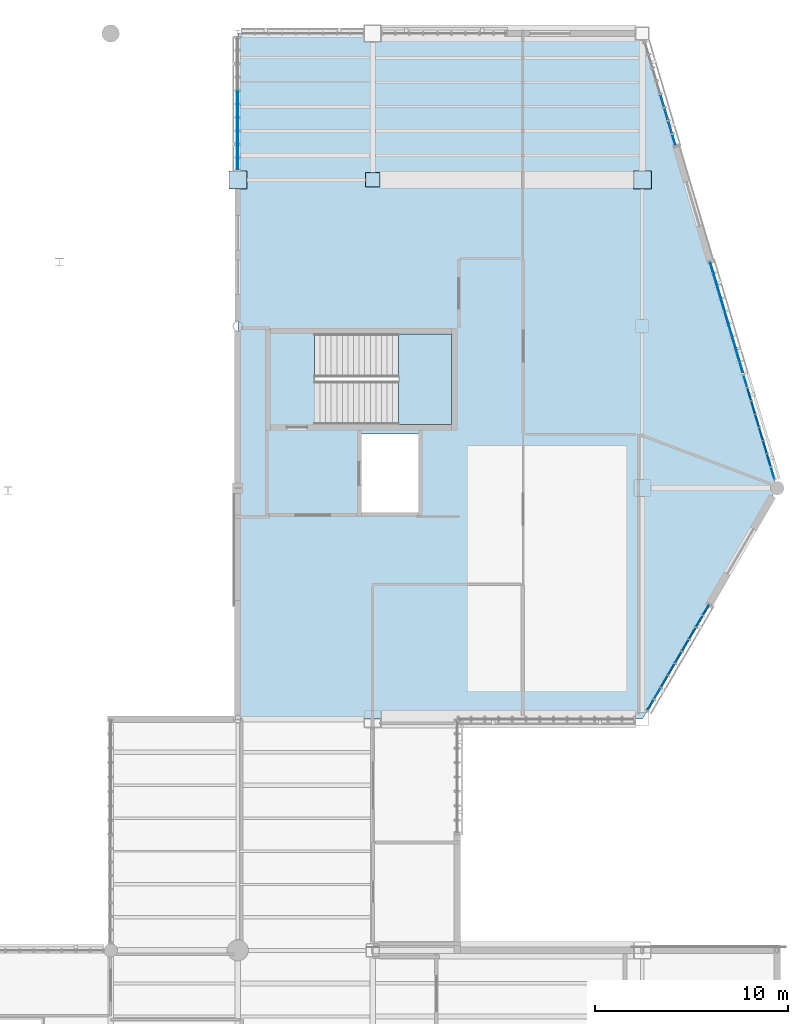
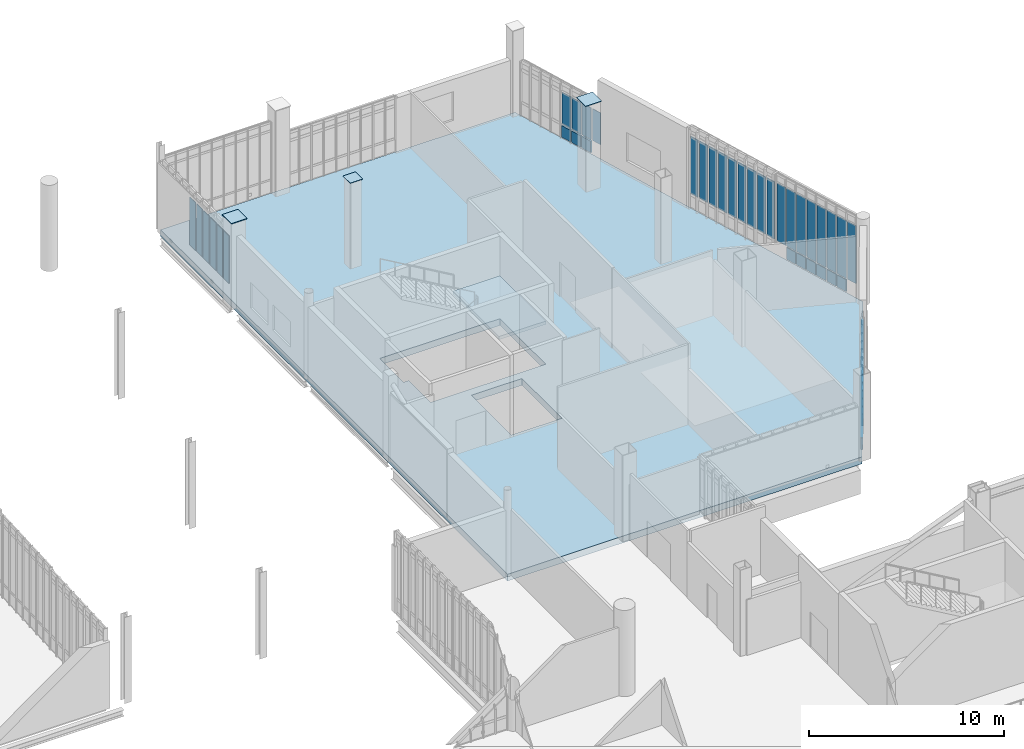
# One storey, part 81 of 127: 56 plates, 2 slabs, 6 elements without a shape of their own.
"""IFC4 building model written with IfcOpenShell, lengths in metres."""

import ifcopenshell
import ifcopenshell.guid

model = None  # the IFC model being written
_history = None  # IfcOwnerHistory: only IFC2X3 demands one
_inside = {}  # id of a spatial element -> (the spatial element, [elements in it])
_under = {}  # id of a project, library or spatial element -> (it, [spatial elements below it])
_declared = {}  # id of a project -> (the project, [libraries it declares])
_typed = {}  # id of a type object -> (the type object, [elements of that type])
_made_of = {}  # id of a material, layer set ... -> (it, [elements and type objects made of it])


def new_model(schema):
    """Start an empty IFC model of exactly this schema.

    Asked for "IFC4X3", IfcOpenShell would pick the latest addendum, in which some entities
    have other attributes; the version numbers below select the first issue.
    IFC2X3 requires an IfcOwnerHistory on every rooted entity: one is made here for all.
    """
    global model, _history
    if schema == "IFC4X3":
        model = ifcopenshell.file(schema_version=(4, 3, 0, 0))
    else:
        model = ifcopenshell.file(schema=schema)
    _inside.clear()
    _under.clear()
    _declared.clear()
    _typed.clear()
    _made_of.clear()
    _history = None
    if model.schema == "IFC2X3":
        org = make("IfcOrganization", Name="unknown")
        user = make(
            "IfcPersonAndOrganization",
            ThePerson=make("IfcPerson", FamilyName="unknown"),
            TheOrganization=org,
        )
        app = make(
            "IfcApplication",
            ApplicationDeveloper=org,
            Version="unknown",
            ApplicationFullName="unknown",
            ApplicationIdentifier="unknown",
        )
        _history = make(
            "IfcOwnerHistory",
            OwningUser=user,
            OwningApplication=app,
            ChangeAction="ADDED",
            CreationDate=0,
        )
    return model


def make(cls, **values):
    """One entity of the class cls with the attributes given. An attribute that is None is left unset."""
    return model.create_entity(
        cls, **{name: value for name, value in values.items() if value is not None}
    )


def rooted(cls, **values):
    """An entity with a GlobalId (a new one), such as an element, a storey or a relation."""
    return make(cls, GlobalId=ifcopenshell.guid.new(), OwnerHistory=_history, **values)


def si_unit(unit_type, name, prefix=None):
    """IfcSIUnit, for example si_unit("LENGTHUNIT", "METRE", prefix="MILLI")."""
    return make("IfcSIUnit", UnitType=unit_type, Prefix=prefix, Name=name)


def assignment(units):
    """IfcUnitAssignment: the units of a project."""
    return None if units is None else make("IfcUnitAssignment", Units=units)


def point(xyz):
    """IfcCartesianPoint."""
    return None if xyz is None else make("IfcCartesianPoint", Coordinates=xyz)


def direction(xyz):
    """IfcDirection."""
    return None if xyz is None else make("IfcDirection", DirectionRatios=xyz)


def frame(location, z_axis=None, x_axis=None):
    """IfcAxis2Placement3D, a coordinate frame: its origin and axes. An axis left out is left unset."""
    return make(
        "IfcAxis2Placement3D",
        Location=point(location),
        Axis=direction(z_axis),
        RefDirection=direction(x_axis),
    )


def frame_2d(location, x_axis=None):
    """IfcAxis2Placement2D, a coordinate frame in the plane: its origin and x axis."""
    return make(
        "IfcAxis2Placement2D", Location=point(location), RefDirection=direction(x_axis)
    )


def origin():
    """The frame at (0, 0, 0) with its axes left unset."""
    return frame((0.0, 0.0, 0.0))


def origin_2d():
    """The frame at (0, 0) in the plane with its x axis left unset."""
    return frame_2d((0.0, 0.0))


def place(relative_to, where):
    """IfcLocalPlacement: puts the frame where relative to a parent placement (None: the world)."""
    return make(
        "IfcLocalPlacement", PlacementRelTo=relative_to, RelativePlacement=where
    )


def context(
    kind, dimensions, precision=None, world=None, true_north=None, identifier=None
):
    """IfcGeometricRepresentationContext, for example the 3D "Model" context."""
    return make(
        "IfcGeometricRepresentationContext",
        ContextIdentifier=identifier,
        ContextType=kind,
        CoordinateSpaceDimension=dimensions,
        Precision=precision,
        WorldCoordinateSystem=world,
        TrueNorth=true_north,
    )


def subcontext(parent, identifier, kind, view, scale=None):
    """IfcGeometricRepresentationSubContext, for example "Body" below "Model"."""
    return make(
        "IfcGeometricRepresentationSubContext",
        ContextIdentifier=identifier,
        ContextType=kind,
        ParentContext=parent,
        TargetScale=scale,
        TargetView=view,
    )


def project(units=None, contexts=None):
    """IfcProject with its units and contexts."""
    return rooted(
        "IfcProject",
        Name="project",
        RepresentationContexts=contexts,
        UnitsInContext=assignment(units),
    )


def spatial(cls, under=None, at=None, **own):
    """A site, building, storey or space (cls), placed at a placement, below another one or the project."""
    s = rooted(cls, ObjectPlacement=at, **own)
    if under is not None:
        _under.setdefault(under.id(), (under, []))[1].append(s)
    return s


def polyline(points):
    """IfcPolyline through the points."""
    return make("IfcPolyline", Points=[point(p) for p in points])


def profile(cls, at=None, kind="AREA", **sizes):
    """A parametric profile (cls). Its sizes go by their IFC names, for example OverallWidth=200.0."""
    return make(cls, ProfileType=kind, Position=at, **sizes)


def rectangle(**sizes):
    """IfcRectangleProfileDef."""
    return profile("IfcRectangleProfileDef", **sizes)


def outline(outer, holes=None, kind="AREA"):
    """IfcArbitraryClosedProfileDef: a profile drawn as a closed curve; with holes, ...WithVoids."""
    if holes is None:
        return make("IfcArbitraryClosedProfileDef", ProfileType=kind, OuterCurve=outer)
    return make(
        "IfcArbitraryProfileDefWithVoids",
        ProfileType=kind,
        OuterCurve=outer,
        InnerCurves=holes,
    )


def extrude(swept, where, along, depth):
    """IfcExtrudedAreaSolid: the profile swept, set in the frame where, extruded along a direction by depth."""
    return make(
        "IfcExtrudedAreaSolid",
        SweptArea=swept,
        Position=where,
        ExtrudedDirection=direction(along),
        Depth=depth,
    )


def shape(context_of_items, identifier, shape_type, items):
    """IfcShapeRepresentation: the items that make up one representation, for example the "Body"."""
    return make(
        "IfcShapeRepresentation",
        ContextOfItems=context_of_items,
        RepresentationIdentifier=identifier,
        RepresentationType=shape_type,
        Items=items,
    )


def material(Name=None, Category=None):
    """IfcMaterial."""
    return make("IfcMaterial", Name=Name, Category=Category)


def layer(
    of_material, thickness, ventilated=None, Name=None, Category=None, Priority=None
):
    """IfcMaterialLayer: one layer of a wall or slab, of a material (None: an air gap)."""
    return make(
        "IfcMaterialLayer",
        Material=of_material,
        LayerThickness=thickness,
        IsVentilated=ventilated,
        Name=Name,
        Category=Category,
        Priority=Priority,
    )


def layer_set(layers, Name=None):
    """IfcMaterialLayerSet."""
    return make("IfcMaterialLayerSet", MaterialLayers=layers, LayerSetName=Name)


def made_of(thing, what):
    """Note that an element or type object is made of a material, layer set ...; save() writes the relation."""
    if what is not None:
        _made_of.setdefault(what.id(), (what, []))[1].append(thing)
    return thing


def type_object(cls, material=None, **own):
    """A type object (cls), such as IfcWallType, which elements share."""
    return made_of(rooted(cls, **own), material)


def element(
    cls,
    number,
    at=None,
    inside=None,
    cuts=None,
    type_object=None,
    material=None,
    context=None,
    identifier="Body",
    shape_type=None,
    held_by="IfcProductDefinitionShape",
    body=None,
    shapes=None,
    **own,
):
    """One element of the class cls, such as IfcWall. Its Tag is "e" and its number.

    at: its placement. inside: the storey or other place that contains it. cuts: it is an
    opening in that element (IfcRelVoidsElement). A single representation is given by context,
    identifier, shape_type and body (its items); several are given by shapes. held_by: the class
    of the entity that holds the representations. save() writes the other relations.
    """
    e = rooted(cls, Tag="e%d" % number, ObjectPlacement=at, **own)
    if body is not None:
        shapes = [shape(context, identifier, shape_type, body)]
    if shapes is not None:
        e.Representation = make(held_by, Representations=shapes)
    if inside is not None:
        _inside.setdefault(inside.id(), (inside, []))[1].append(e)
    if cuts is not None:
        rooted(
            "IfcRelVoidsElement", RelatingBuildingElement=cuts, RelatedOpeningElement=e
        )
    if type_object is not None:
        _typed.setdefault(type_object.id(), (type_object, []))[1].append(e)
    return made_of(e, material)


def aggregate(whole, parts):
    """IfcRelAggregates: a whole, such as a stair, and the parts it consists of."""
    return rooted("IfcRelAggregates", RelatingObject=whole, RelatedObjects=parts)


def save(model, path):
    """Write the relations noted so far, then the file.

    IfcRelAggregates (storeys below a building ...), IfcRelContainedInSpatialStructure (elements
    in a storey), IfcRelDefinesByType, IfcRelAssociatesMaterial and IfcRelDeclares: one each for
    every whole, place, type object, material and project.
    """
    for whole, parts in _under.values():
        aggregate(whole, parts)
    for where, things in _inside.values():
        rooted(
            "IfcRelContainedInSpatialStructure",
            RelatedElements=things,
            RelatingStructure=where,
        )
    for kind, things in _typed.values():
        rooted("IfcRelDefinesByType", RelatedObjects=things, RelatingType=kind)
    for what, things in _made_of.values():
        rooted("IfcRelAssociatesMaterial", RelatedObjects=things, RelatingMaterial=what)
    for by, libraries in _declared.values():
        rooted("IfcRelDeclares", RelatingContext=by, RelatedDefinitions=libraries)
    model.write(path)


model = new_model("IFC4")

# Units and contexts
model_context = context("Model", 3, precision=1e-05, world=origin(), true_north=direction((0.0, 1.0)))
body_context = subcontext(model_context, "Body", "Model", "MODEL_VIEW")
ifc_project = project(units=[si_unit("LENGTHUNIT", "METRE"), si_unit("AREAUNIT", "SQUARE_METRE"), si_unit("VOLUMEUNIT", "CUBIC_METRE"), si_unit("PLANEANGLEUNIT", "RADIAN"), si_unit("MASSUNIT", "GRAM", prefix="KILO")], contexts=[model_context])

# Site, building, storey
site_placement = place(None, origin())
site = spatial("IfcSite", under=ifc_project, at=site_placement, CompositionType="ELEMENT")
building_placement = place(site_placement, origin())
building = spatial("IfcBuilding", under=site, at=building_placement, Name="Larkvane Passage Sports Hall", CompositionType="ELEMENT")
storey_placement = place(building_placement, frame((0.0, 0.0, 5.39990234375)))
storey = spatial("IfcBuildingStorey", under=building, at=storey_placement, Name="L01", CompositionType="ELEMENT", Elevation=5.39990234375)

# Curtain wall, plates
ifc_material_1 = material(Name="Thermally broken aluminium and low-E glazing", Category="aluminium")
curtain_wall_type_1 = type_object("IfcCurtainWallType", Name="CW-STICK-FOYER", PredefinedType="USERDEFINED", material=ifc_material_1)
curtain_wall_1_placement = place(storey_placement, origin())
curtain_wall_1 = element("IfcCurtainWall", 1, at=curtain_wall_1_placement, inside=storey, type_object=curtain_wall_type_1, Name="Curtain wall CW5-L01-054", ObjectType="STICK CURTAIN WALL", PredefinedType="USERDEFINED")
ifc_material_2 = material(Name="Fire-stopped shadow-box spandrel panel")
ifc_layer_1 = layer(ifc_material_2, 0.10498046875)
ifc_layer_set_1 = layer_set([ifc_layer_1], Name="Fire-stopped shadow-box spandrel panel")
plate_type_1 = type_object("IfcPlateType", Name="CWP-SPD-105", PredefinedType="CURTAIN_PANEL", material=ifc_layer_set_1)
plate_1_placement = place(storey_placement, frame((146.637939453125, 95.700439453125, 0.080078125), z_axis=(0.0, 0.0, 1.0), x_axis=(0.28436317806, -0.958716633299, 0.0)))
plate_1 = element("IfcPlate", 2, at=plate_1_placement, type_object=plate_type_1, Name="CW-03 panel 5.1", PredefinedType="CURTAIN_PANEL", context=body_context, shape_type="SweptSolid", body=[
    extrude(rectangle(XDim=0.63525390625, YDim=0.10498046875, at=origin_2d()), origin(), (0.0, 0.0, 1.0), 0.72998046875),
])
plate_2_placement = place(storey_placement, frame((146.841552734375, 95.0146484375, 0.080078125), z_axis=(0.0, 0.0, 1.0), x_axis=(0.28436317806, -0.958716633299, 0.0)))
plate_2 = element("IfcPlate", 3, at=plate_2_placement, type_object=plate_type_1, Name="CW-03 panel 6.1", PredefinedType="CURTAIN_PANEL", context=body_context, shape_type="SweptSolid", body=[
    extrude(rectangle(XDim=0.63525390625, YDim=0.10498046875, at=origin_2d()), origin(), (0.0, 0.0, 1.0), 0.72998046875),
])
plate_3_placement = place(storey_placement, frame((147.044921875, 94.328857421875, 0.080078125), z_axis=(0.0, 0.0, 1.0), x_axis=(0.28436317806, -0.958716633299, 0.0)))
plate_3 = element("IfcPlate", 4, at=plate_3_placement, type_object=plate_type_1, Name="CW-03 panel 7.1", PredefinedType="CURTAIN_PANEL", context=body_context, shape_type="SweptSolid", body=[
    extrude(rectangle(XDim=0.63525390625, YDim=0.10498046875, at=origin_2d()), origin(), (0.0, 0.0, 1.0), 0.72998046875),
])

curtain_wall_type_2 = type_object("IfcCurtainWallType", Name="CW-UNIT-COURT", PredefinedType="USERDEFINED", material=ifc_material_1)
curtain_wall_2_placement = place(storey_placement, origin())
curtain_wall_2 = element("IfcCurtainWall", 5, at=curtain_wall_2_placement, inside=storey, type_object=curtain_wall_type_2, Name="Curtain wall CW5-L01-056", ObjectType="UNITISED CURTAIN WALL", PredefinedType="USERDEFINED")
ifc_material_3 = material(Name="Insulated aluminium spandrel panel", Category="aluminium")
ifc_layer_2 = layer(ifc_material_3, 0.06494140625)
ifc_layer_set_2 = layer_set([ifc_layer_2], Name="Insulated aluminium spandrel panel")
plate_type_2 = type_object("IfcPlateType", Name="CWP-SPD-65", PredefinedType="CURTAIN_PANEL", material=ifc_layer_set_2)
plate_4_placement = place(storey_placement, frame((151.155029296875, 80.47119140625, 0.065185546875), z_axis=(0.0, 0.0, 1.0), x_axis=(0.28436317806, -0.958716633299, 0.0)))
plate_4 = element("IfcPlate", 6, at=plate_4_placement, type_object=plate_type_2, Name="CW-01 panel 2.1", PredefinedType="CURTAIN_PANEL", context=body_context, shape_type="SweptSolid", body=[
    extrude(rectangle(XDim=0.650390625, YDim=0.06494140625, at=origin_2d()), origin(), (0.0, 0.0, 1.0), 0.75244140625),
])
plate_5_placement = place(storey_placement, frame((151.358642578125, 79.785400390625, 0.065185546875), z_axis=(0.0, 0.0, 1.0), x_axis=(0.28436317806, -0.958716633299, 0.0)))
plate_5 = element("IfcPlate", 7, at=plate_5_placement, type_object=plate_type_2, Name="CW-01 panel 3.1", PredefinedType="CURTAIN_PANEL", context=body_context, shape_type="SweptSolid", body=[
    extrude(rectangle(XDim=0.650390625, YDim=0.06494140625, at=origin_2d()), origin(), (0.0, 0.0, 1.0), 0.75244140625),
])
plate_6_placement = place(storey_placement, frame((151.56201171875, 79.099609375, 0.065185546875), z_axis=(0.0, 0.0, 1.0), x_axis=(0.28436317806, -0.958716633299, 0.0)))
plate_6 = element("IfcPlate", 8, at=plate_6_placement, type_object=plate_type_2, Name="CW-01 panel 4.1", PredefinedType="CURTAIN_PANEL", context=body_context, shape_type="SweptSolid", body=[
    extrude(rectangle(XDim=0.650390625, YDim=0.06494140625, at=origin_2d()), origin(), (0.0, 0.0, 1.0), 0.75244140625),
])
plate_7_placement = place(storey_placement, frame((151.765380859375, 78.413818359375, 0.065185546875), z_axis=(0.0, 0.0, 1.0), x_axis=(0.28436317806, -0.958716633299, 0.0)))
plate_7 = element("IfcPlate", 9, at=plate_7_placement, type_object=plate_type_2, Name="CW-01 panel 5.1", PredefinedType="CURTAIN_PANEL", context=body_context, shape_type="SweptSolid", body=[
    extrude(rectangle(XDim=0.650390625, YDim=0.06494140625, at=origin_2d()), origin(), (0.0, 0.0, 1.0), 0.75244140625),
])
plate_8_placement = place(storey_placement, frame((151.96875, 77.727783203125, 0.065185546875), z_axis=(0.0, 0.0, 1.0), x_axis=(0.28436317806, -0.958716633299, 0.0)))
plate_8 = element("IfcPlate", 10, at=plate_8_placement, type_object=plate_type_2, Name="CW-01 panel 6.1", PredefinedType="CURTAIN_PANEL", context=body_context, shape_type="SweptSolid", body=[
    extrude(rectangle(XDim=0.650390625, YDim=0.06494140625, at=origin_2d()), origin(), (0.0, 0.0, 1.0), 0.75244140625),
])
plate_9_placement = place(storey_placement, frame((152.17236328125, 77.0419921875, 0.065185546875), z_axis=(0.0, 0.0, 1.0), x_axis=(0.28436317806, -0.958716633299, 0.0)))
plate_9 = element("IfcPlate", 11, at=plate_9_placement, type_object=plate_type_2, Name="CW-01 panel 7.1", PredefinedType="CURTAIN_PANEL", context=body_context, shape_type="SweptSolid", body=[
    extrude(rectangle(XDim=0.650390625, YDim=0.06494140625, at=origin_2d()), origin(), (0.0, 0.0, 1.0), 0.75244140625),
])

curtain_wall_type_3 = type_object("IfcCurtainWallType", Name="CW-UNIT-VEIL", PredefinedType="USERDEFINED", material=ifc_material_1)
curtain_wall_3_placement = place(storey_placement, origin())
curtain_wall_3 = element("IfcCurtainWall", 12, at=curtain_wall_3_placement, inside=storey, type_object=curtain_wall_type_3, Name="Curtain wall CW5-L01-057", ObjectType="UNITISED CURTAIN WALL", PredefinedType="USERDEFINED")
ifc_material_4 = material(Name="Mineral-wool insulated spandrel cassette")
ifc_layer_3 = layer(ifc_material_4, 0.0849609375)
ifc_layer_set_3 = layer_set([ifc_layer_3], Name="Mineral-wool insulated spandrel cassette")
plate_type_3 = type_object("IfcPlateType", Name="CWP-SPD-85", PredefinedType="CURTAIN_PANEL", material=ifc_layer_set_3)
plate_10_placement = place(storey_placement, frame((148.909423828125, 69.273193359375, 0.0751953125), z_axis=(0.0, 0.0, 1.0), x_axis=(-0.503867182467, -0.86378114267, 0.0)))
plate_10 = element("IfcPlate", 13, at=plate_10_placement, type_object=plate_type_3, Name="CW-02 panel 1.1", PredefinedType="CURTAIN_PANEL", context=body_context, shape_type="SweptSolid", body=[
    extrude(rectangle(XDim=0.6064453125, YDim=0.0849609375, at=origin_2d()), origin(), (0.0, 0.0, 1.0), 0.737548828125),
])
plate_11_placement = place(storey_placement, frame((148.556640625, 68.668212890625, 0.0751953125), z_axis=(0.0, 0.0, 1.0), x_axis=(-0.503867182467, -0.86378114267, 0.0)))
plate_11 = element("IfcPlate", 14, at=plate_11_placement, type_object=plate_type_3, Name="CW-02 panel 2.1", PredefinedType="CURTAIN_PANEL", context=body_context, shape_type="SweptSolid", body=[
    extrude(rectangle(XDim=0.64404296875, YDim=0.0849609375, at=origin_2d()), origin(), (0.0, 0.0, 1.0), 0.737548828125),
])
plate_12_placement = place(storey_placement, frame((148.1943359375, 68.047119140625, 0.0751953125), z_axis=(0.0, 0.0, 1.0), x_axis=(-0.503867182467, -0.86378114267, 0.0)))
plate_12 = element("IfcPlate", 15, at=plate_12_placement, type_object=plate_type_3, Name="CW-02 panel 3.1", PredefinedType="CURTAIN_PANEL", context=body_context, shape_type="SweptSolid", body=[
    extrude(rectangle(XDim=0.64404296875, YDim=0.0849609375, at=origin_2d()), origin(), (0.0, 0.0, 1.0), 0.737548828125),
])
plate_13_placement = place(storey_placement, frame((147.83203125, 67.426025390625, 0.0751953125), z_axis=(0.0, 0.0, 1.0), x_axis=(-0.503867182467, -0.86378114267, 0.0)))
plate_13 = element("IfcPlate", 16, at=plate_13_placement, type_object=plate_type_3, Name="CW-02 panel 4.1", PredefinedType="CURTAIN_PANEL", context=body_context, shape_type="SweptSolid", body=[
    extrude(rectangle(XDim=0.64404296875, YDim=0.0849609375, at=origin_2d()), origin(), (0.0, 0.0, 1.0), 0.737548828125),
])
plate_14_placement = place(storey_placement, frame((147.469482421875, 66.804931640625, 0.0751953125), z_axis=(0.0, 0.0, 1.0), x_axis=(-0.503867182467, -0.86378114267, 0.0)))
plate_14 = element("IfcPlate", 17, at=plate_14_placement, type_object=plate_type_3, Name="CW-02 panel 5.1", PredefinedType="CURTAIN_PANEL", context=body_context, shape_type="SweptSolid", body=[
    extrude(rectangle(XDim=0.64404296875, YDim=0.0849609375, at=origin_2d()), origin(), (0.0, 0.0, 1.0), 0.737548828125),
])
plate_15_placement = place(storey_placement, frame((147.107177734375, 66.183837890625, 0.0751953125), z_axis=(0.0, 0.0, 1.0), x_axis=(-0.503867182467, -0.86378114267, 0.0)))
plate_15 = element("IfcPlate", 18, at=plate_15_placement, type_object=plate_type_3, Name="CW-02 panel 6.1", PredefinedType="CURTAIN_PANEL", context=body_context, shape_type="SweptSolid", body=[
    extrude(rectangle(XDim=0.64404296875, YDim=0.0849609375, at=origin_2d()), origin(), (0.0, 0.0, 1.0), 0.737548828125),
])
plate_16_placement = place(storey_placement, frame((146.744873046875, 65.562744140625, 0.0751953125), z_axis=(0.0, 0.0, 1.0), x_axis=(-0.503867182467, -0.86378114267, 0.0)))
plate_16 = element("IfcPlate", 19, at=plate_16_placement, type_object=plate_type_3, Name="CW-02 panel 7.1", PredefinedType="CURTAIN_PANEL", context=body_context, shape_type="SweptSolid", body=[
    extrude(rectangle(XDim=0.64404296875, YDim=0.0849609375, at=origin_2d()), origin(), (0.0, 0.0, 1.0), 0.737548828125),
])
plate_17_placement = place(storey_placement, frame((146.02978515625, 64.336669921875, 0.0751953125), z_axis=(0.0, 0.0, 1.0), x_axis=(-0.503867182467, -0.86378114267, 0.0)))
plate_17 = element("IfcPlate", 20, at=plate_17_placement, type_object=plate_type_3, Name="CW-02 panel 9.1", PredefinedType="CURTAIN_PANEL", context=body_context, shape_type="SweptSolid", body=[
    extrude(rectangle(XDim=0.6064453125, YDim=0.0849609375, at=origin_2d()), origin(), (0.0, 0.0, 1.0), 0.737548828125),
])

# Plate
ifc_material_5 = material(Name="Solar-control low-E double glazing", Category="glass")
ifc_layer_4 = layer(ifc_material_5, 0.028076171875)
ifc_layer_set_4 = layer_set([ifc_layer_4], Name="Solar-control low-E double glazing")
plate_type_4 = type_object("IfcPlateType", Name="CWP-VIS-28", PredefinedType="CURTAIN_PANEL", material=ifc_layer_set_4)
plate_18_placement = place(storey_placement, frame((150.956298828125, 81.1416015625, 0.8828125), z_axis=(0.0, 0.0, 1.0), x_axis=(0.28436317806, -0.958716633299, 0.0)))
plate_18 = element("IfcPlate", 21, at=plate_18_placement, type_object=plate_type_4, Name="CW-01 panel 1.2", PredefinedType="CURTAIN_PANEL", context=body_context, shape_type="SweptSolid", body=[
    extrude(rectangle(XDim=0.617919921875, YDim=0.028076171875, at=origin_2d()), origin(), (0.0, 0.0, 1.0), 3.635009765625),
])

plate_19_placement = place(storey_placement, frame((151.155029296875, 80.47119140625, 0.8828125), z_axis=(0.0, 0.0, 1.0), x_axis=(0.28436317806, -0.958716633299, 0.0)))
plate_19 = element("IfcPlate", 22, at=plate_19_placement, type_object=plate_type_4, Name="CW-01 panel 2.2", PredefinedType="CURTAIN_PANEL", context=body_context, shape_type="SweptSolid", body=[
    extrude(rectangle(XDim=0.650390625, YDim=0.028076171875, at=origin_2d()), origin(), (0.0, 0.0, 1.0), 3.635009765625),
])

plate_20_placement = place(storey_placement, frame((151.358642578125, 79.785400390625, 0.8828125), z_axis=(0.0, 0.0, 1.0), x_axis=(0.28436317806, -0.958716633299, 0.0)))
plate_20 = element("IfcPlate", 23, at=plate_20_placement, type_object=plate_type_4, Name="CW-01 panel 3.2", PredefinedType="CURTAIN_PANEL", context=body_context, shape_type="SweptSolid", body=[
    extrude(rectangle(XDim=0.650390625, YDim=0.028076171875, at=origin_2d()), origin(), (0.0, 0.0, 1.0), 3.635009765625),
])

plate_21_placement = place(storey_placement, frame((151.56201171875, 79.099609375, 0.8828125), z_axis=(0.0, 0.0, 1.0), x_axis=(0.28436317806, -0.958716633299, 0.0)))
plate_21 = element("IfcPlate", 24, at=plate_21_placement, type_object=plate_type_4, Name="CW-01 panel 4.2", PredefinedType="CURTAIN_PANEL", context=body_context, shape_type="SweptSolid", body=[
    extrude(rectangle(XDim=0.650390625, YDim=0.028076171875, at=origin_2d()), origin(), (0.0, 0.0, 1.0), 3.635009765625),
])

plate_22_placement = place(storey_placement, frame((151.765380859375, 78.413818359375, 0.8828125), z_axis=(0.0, 0.0, 1.0), x_axis=(0.28436317806, -0.958716633299, 0.0)))
plate_22 = element("IfcPlate", 25, at=plate_22_placement, type_object=plate_type_4, Name="CW-01 panel 5.2", PredefinedType="CURTAIN_PANEL", context=body_context, shape_type="SweptSolid", body=[
    extrude(rectangle(XDim=0.650390625, YDim=0.028076171875, at=origin_2d()), origin(), (0.0, 0.0, 1.0), 3.635009765625),
])

plate_23_placement = place(storey_placement, frame((151.96875, 77.727783203125, 0.8828125), z_axis=(0.0, 0.0, 1.0), x_axis=(0.28436317806, -0.958716633299, 0.0)))
plate_23 = element("IfcPlate", 26, at=plate_23_placement, type_object=plate_type_4, Name="CW-01 panel 6.2", PredefinedType="CURTAIN_PANEL", context=body_context, shape_type="SweptSolid", body=[
    extrude(rectangle(XDim=0.650390625, YDim=0.028076171875, at=origin_2d()), origin(), (0.0, 0.0, 1.0), 3.635009765625),
])

plate_24_placement = place(storey_placement, frame((152.17236328125, 77.0419921875, 0.8828125), z_axis=(0.0, 0.0, 1.0), x_axis=(0.28436317806, -0.958716633299, 0.0)))
plate_24 = element("IfcPlate", 27, at=plate_24_placement, type_object=plate_type_4, Name="CW-01 panel 7.2", PredefinedType="CURTAIN_PANEL", context=body_context, shape_type="SweptSolid", body=[
    extrude(rectangle(XDim=0.650390625, YDim=0.028076171875, at=origin_2d()), origin(), (0.0, 0.0, 1.0), 3.635009765625),
])

plate_25_placement = place(storey_placement, frame((152.37109375, 76.371826171875, 0.8828125), z_axis=(0.0, 0.0, 1.0), x_axis=(0.28436317806, -0.958716633299, 0.0)))
plate_25 = element("IfcPlate", 28, at=plate_25_placement, type_object=plate_type_4, Name="CW-01 panel 8.2", PredefinedType="CURTAIN_PANEL", context=body_context, shape_type="SweptSolid", body=[
    extrude(rectangle(XDim=0.617919921875, YDim=0.028076171875, at=origin_2d()), origin(), (0.0, 0.0, 1.0), 3.635009765625),
])

aggregate(curtain_wall_2, [plate_18, plate_4, plate_19, plate_5, plate_20, plate_6, plate_21, plate_7, plate_22, plate_8, plate_23, plate_9, plate_24, plate_25])

ifc_material_6 = material(Name="Laminated acoustic low-E glazing", Category="glass")
ifc_layer_5 = layer(ifc_material_6, 0.031982421875)
ifc_layer_set_5 = layer_set([ifc_layer_5], Name="Laminated acoustic low-E glazing")
plate_type_5 = type_object("IfcPlateType", Name="CWP-VIS-32", PredefinedType="CURTAIN_PANEL", material=ifc_layer_set_5)
plate_26_placement = place(storey_placement, frame((148.909423828125, 69.273193359375, 0.887451171875), z_axis=(0.0, 0.0, 1.0), x_axis=(-0.503867182467, -0.86378114267, 0.0)))
plate_26 = element("IfcPlate", 29, at=plate_26_placement, type_object=plate_type_5, Name="CW-02 panel 1.2", PredefinedType="CURTAIN_PANEL", context=body_context, shape_type="SweptSolid", body=[
    extrude(rectangle(XDim=0.6064453125, YDim=0.031982421875, at=origin_2d()), origin(), (0.0, 0.0, 1.0), 2.89306640625),
])

plate_27_placement = place(storey_placement, frame((148.556640625, 68.668212890625, 0.887451171875), z_axis=(0.0, 0.0, 1.0), x_axis=(-0.503867182467, -0.86378114267, 0.0)))
plate_27 = element("IfcPlate", 30, at=plate_27_placement, type_object=plate_type_5, Name="CW-02 panel 2.2", PredefinedType="CURTAIN_PANEL", context=body_context, shape_type="SweptSolid", body=[
    extrude(rectangle(XDim=0.64404296875, YDim=0.031982421875, at=origin_2d()), origin(), (0.0, 0.0, 1.0), 2.89306640625),
])

plate_28_placement = place(storey_placement, frame((148.1943359375, 68.047119140625, 0.887451171875), z_axis=(0.0, 0.0, 1.0), x_axis=(-0.503867182467, -0.86378114267, 0.0)))
plate_28 = element("IfcPlate", 31, at=plate_28_placement, type_object=plate_type_5, Name="CW-02 panel 3.2", PredefinedType="CURTAIN_PANEL", context=body_context, shape_type="SweptSolid", body=[
    extrude(rectangle(XDim=0.64404296875, YDim=0.031982421875, at=origin_2d()), origin(), (0.0, 0.0, 1.0), 2.89306640625),
])

plate_29_placement = place(storey_placement, frame((147.83203125, 67.426025390625, 0.887451171875), z_axis=(0.0, 0.0, 1.0), x_axis=(-0.503867182467, -0.86378114267, 0.0)))
plate_29 = element("IfcPlate", 32, at=plate_29_placement, type_object=plate_type_5, Name="CW-02 panel 4.2", PredefinedType="CURTAIN_PANEL", context=body_context, shape_type="SweptSolid", body=[
    extrude(rectangle(XDim=0.64404296875, YDim=0.031982421875, at=origin_2d()), origin(), (0.0, 0.0, 1.0), 2.89306640625),
])

plate_30_placement = place(storey_placement, frame((147.469482421875, 66.804931640625, 0.887451171875), z_axis=(0.0, 0.0, 1.0), x_axis=(-0.503867182467, -0.86378114267, 0.0)))
plate_30 = element("IfcPlate", 33, at=plate_30_placement, type_object=plate_type_5, Name="CW-02 panel 5.2", PredefinedType="CURTAIN_PANEL", context=body_context, shape_type="SweptSolid", body=[
    extrude(rectangle(XDim=0.64404296875, YDim=0.031982421875, at=origin_2d()), origin(), (0.0, 0.0, 1.0), 2.89306640625),
])

plate_31_placement = place(storey_placement, frame((147.107177734375, 66.183837890625, 0.887451171875), z_axis=(0.0, 0.0, 1.0), x_axis=(-0.503867182467, -0.86378114267, 0.0)))
plate_31 = element("IfcPlate", 34, at=plate_31_placement, type_object=plate_type_5, Name="CW-02 panel 6.2", PredefinedType="CURTAIN_PANEL", context=body_context, shape_type="SweptSolid", body=[
    extrude(rectangle(XDim=0.64404296875, YDim=0.031982421875, at=origin_2d()), origin(), (0.0, 0.0, 1.0), 2.89306640625),
])

plate_32_placement = place(storey_placement, frame((146.744873046875, 65.562744140625, 0.887451171875), z_axis=(0.0, 0.0, 1.0), x_axis=(-0.503867182467, -0.86378114267, 0.0)))
plate_32 = element("IfcPlate", 35, at=plate_32_placement, type_object=plate_type_5, Name="CW-02 panel 7.2", PredefinedType="CURTAIN_PANEL", context=body_context, shape_type="SweptSolid", body=[
    extrude(rectangle(XDim=0.64404296875, YDim=0.031982421875, at=origin_2d()), origin(), (0.0, 0.0, 1.0), 2.89306640625),
])

plate_33_placement = place(storey_placement, frame((146.382568359375, 64.941650390625, 0.887451171875), z_axis=(0.0, 0.0, 1.0), x_axis=(-0.503867182467, -0.86378114267, 0.0)))
plate_33 = element("IfcPlate", 36, at=plate_33_placement, type_object=plate_type_5, Name="CW-02 panel 8.2", PredefinedType="CURTAIN_PANEL", context=body_context, shape_type="SweptSolid", body=[
    extrude(rectangle(XDim=0.64404296875, YDim=0.031982421875, at=origin_2d()), origin(), (0.0, 0.0, 1.0), 2.89306640625),
])

plate_34_placement = place(storey_placement, frame((146.02978515625, 64.336669921875, 0.887451171875), z_axis=(0.0, 0.0, 1.0), x_axis=(-0.503867182467, -0.86378114267, 0.0)))
plate_34 = element("IfcPlate", 37, at=plate_34_placement, type_object=plate_type_5, Name="CW-02 panel 9.2", PredefinedType="CURTAIN_PANEL", context=body_context, shape_type="SweptSolid", body=[
    extrude(rectangle(XDim=0.6064453125, YDim=0.031982421875, at=origin_2d()), origin(), (0.0, 0.0, 1.0), 2.89306640625),
])

aggregate(curtain_wall_3, [plate_10, plate_26, plate_11, plate_27, plate_12, plate_28, plate_13, plate_29, plate_14, plate_30, plate_15, plate_31, plate_16, plate_32, plate_33, plate_17, plate_34])

ifc_material_7 = material(Name="High-impact court low-E glazing", Category="glass")
ifc_layer_6 = layer(ifc_material_7, 0.035888671875)
ifc_layer_set_6 = layer_set([ifc_layer_6], Name="High-impact court low-E glazing")
plate_type_6 = type_object("IfcPlateType", Name="CWP-VIS-36", PredefinedType="CURTAIN_PANEL", material=ifc_layer_set_6)
plate_35_placement = place(storey_placement, frame((146.637939453125, 95.700439453125, 0.89013671875), z_axis=(0.0, 0.0, 1.0), x_axis=(0.28436317806, -0.958716633299, 0.0)))
plate_35 = element("IfcPlate", 38, at=plate_35_placement, type_object=plate_type_6, Name="CW-03 panel 5.2", PredefinedType="CURTAIN_PANEL", context=body_context, shape_type="SweptSolid", body=[
    extrude(rectangle(XDim=0.63525390625, YDim=0.035888671875, at=origin_2d()), origin(), (0.0, 0.0, 1.0), 1.988037109375),
])

plate_36_placement = place(storey_placement, frame((146.841552734375, 95.0146484375, 0.89013671875), z_axis=(0.0, 0.0, 1.0), x_axis=(0.28436317806, -0.958716633299, 0.0)))
plate_36 = element("IfcPlate", 39, at=plate_36_placement, type_object=plate_type_6, Name="CW-03 panel 6.2", PredefinedType="CURTAIN_PANEL", context=body_context, shape_type="SweptSolid", body=[
    extrude(rectangle(XDim=0.63525390625, YDim=0.035888671875, at=origin_2d()), origin(), (0.0, 0.0, 1.0), 1.988037109375),
])

plate_37_placement = place(storey_placement, frame((147.044921875, 94.328857421875, 0.89013671875), z_axis=(0.0, 0.0, 1.0), x_axis=(0.28436317806, -0.958716633299, 0.0)))
plate_37 = element("IfcPlate", 40, at=plate_37_placement, type_object=plate_type_6, Name="CW-03 panel 7.2", PredefinedType="CURTAIN_PANEL", context=body_context, shape_type="SweptSolid", body=[
    extrude(rectangle(XDim=0.63525390625, YDim=0.035888671875, at=origin_2d()), origin(), (0.0, 0.0, 1.0), 1.988037109375),
])

plate_38_placement = place(storey_placement, frame((147.24267578125, 93.662109375, 0.89013671875), z_axis=(0.0, 0.0, 1.0), x_axis=(0.28436317806, -0.958716633299, 0.0)))
plate_38 = element("IfcPlate", 41, at=plate_38_placement, type_object=plate_type_6, Name="CW-03 panel 8.2", PredefinedType="CURTAIN_PANEL", context=body_context, shape_type="SweptSolid", body=[
    extrude(rectangle(XDim=0.595458984375, YDim=0.035888671875, at=origin_2d()), origin(), (0.0, 0.0, 1.0), 1.988037109375),
])

aggregate(curtain_wall_1, [plate_1, plate_35, plate_2, plate_36, plate_3, plate_37, plate_38])

# Curtain wall, plates
curtain_wall_type_4 = type_object("IfcCurtainWallType", Name="CW-CLINIC", PredefinedType="USERDEFINED", material=ifc_material_1)
curtain_wall_4_placement = place(storey_placement, origin())
curtain_wall_4 = element("IfcCurtainWall", 42, at=curtain_wall_4_placement, inside=storey, type_object=curtain_wall_type_4, Name="Curtain wall CW5-L01-051", ObjectType="UNITISED CURTAIN WALL", PredefinedType="USERDEFINED")
ifc_material_8 = material(Name="Triple-laminated typhoon glazing", Category="glass")
ifc_layer_7 = layer(ifc_material_8, 0.0419921875)
ifc_layer_set_7 = layer_set([ifc_layer_7], Name="Triple-laminated typhoon glazing")
plate_type_7 = type_object("IfcPlateType", Name="CWP-VIS-42", PredefinedType="CURTAIN_PANEL", material=ifc_layer_set_7)
plate_39_placement = place(storey_placement, frame((124.60009765625, 92.420166015625, 0.900146484375), z_axis=(0.0, 0.0, 1.0), x_axis=(0.0, 1.0, 0.0)))
plate_39 = element("IfcPlate", 43, at=plate_39_placement, type_object=plate_type_7, Name="CW-05 panel 1.2", PredefinedType="CURTAIN_PANEL", context=body_context, shape_type="SweptSolid", body=[
    extrude(rectangle(XDim=0.54833984375, YDim=0.0419921875, at=origin_2d()), origin(), (0.0, 0.0, 1.0), 2.97998046875),
])
plate_40_placement = place(storey_placement, frame((124.60009765625, 93.093505859375, 0.900146484375), z_axis=(0.0, 0.0, 1.0), x_axis=(0.0, 1.0, 0.0)))
plate_40 = element("IfcPlate", 44, at=plate_40_placement, type_object=plate_type_7, Name="CW-05 panel 2.2", PredefinedType="CURTAIN_PANEL", context=body_context, shape_type="SweptSolid", body=[
    extrude(rectangle(XDim=0.598388671875, YDim=0.0419921875, at=origin_2d()), origin(), (0.0, 0.0, 1.0), 2.97998046875),
])
plate_41_placement = place(storey_placement, frame((124.60009765625, 93.791748046875, 0.900146484375), z_axis=(0.0, 0.0, 1.0), x_axis=(0.0, 1.0, 0.0)))
plate_41 = element("IfcPlate", 45, at=plate_41_placement, type_object=plate_type_7, Name="CW-05 panel 3.2", PredefinedType="CURTAIN_PANEL", context=body_context, shape_type="SweptSolid", body=[
    extrude(rectangle(XDim=0.598388671875, YDim=0.0419921875, at=origin_2d()), origin(), (0.0, 0.0, 1.0), 2.97998046875),
])
plate_42_placement = place(storey_placement, frame((124.60009765625, 94.489990234375, 0.900146484375), z_axis=(0.0, 0.0, 1.0), x_axis=(0.0, 1.0, 0.0)))
plate_42 = element("IfcPlate", 46, at=plate_42_placement, type_object=plate_type_7, Name="CW-05 panel 4.2", PredefinedType="CURTAIN_PANEL", context=body_context, shape_type="SweptSolid", body=[
    extrude(rectangle(XDim=0.598388671875, YDim=0.0419921875, at=origin_2d()), origin(), (0.0, 0.0, 1.0), 2.97998046875),
])
plate_43_placement = place(storey_placement, frame((124.60009765625, 95.188232421875, 0.900146484375), z_axis=(0.0, 0.0, 1.0), x_axis=(0.0, 1.0, 0.0)))
plate_43 = element("IfcPlate", 47, at=plate_43_placement, type_object=plate_type_7, Name="CW-05 panel 5.2", PredefinedType="CURTAIN_PANEL", context=body_context, shape_type="SweptSolid", body=[
    extrude(rectangle(XDim=0.598388671875, YDim=0.0419921875, at=origin_2d()), origin(), (0.0, 0.0, 1.0), 2.97998046875),
])
plate_44_placement = place(storey_placement, frame((124.60009765625, 95.88671875, 0.900146484375), z_axis=(0.0, 0.0, 1.0), x_axis=(0.0, 1.0, 0.0)))
plate_44 = element("IfcPlate", 48, at=plate_44_placement, type_object=plate_type_7, Name="CW-05 panel 6.2", PredefinedType="CURTAIN_PANEL", context=body_context, shape_type="SweptSolid", body=[
    extrude(rectangle(XDim=0.598388671875, YDim=0.0419921875, at=origin_2d()), origin(), (0.0, 0.0, 1.0), 2.97998046875),
])
aggregate(curtain_wall_4, [plate_39, plate_40, plate_41, plate_42, plate_43, plate_44])

curtain_wall_5_placement = place(storey_placement, origin())
curtain_wall_5 = element("IfcCurtainWall", 49, at=curtain_wall_5_placement, inside=storey, type_object=curtain_wall_type_4, Name="Curtain wall CW5-L01-055", ObjectType="UNITISED CURTAIN WALL", PredefinedType="USERDEFINED")
plate_45_placement = place(storey_placement, frame((149.205078125, 87.0458984375, 0.9052734375), z_axis=(0.0, 0.0, 1.0), x_axis=(0.284364947432, -0.958716108487, 0.0)))
plate_45 = element("IfcPlate", 50, at=plate_45_placement, type_object=plate_type_7, Name="CW-05 panel 1.2", PredefinedType="CURTAIN_PANEL", context=body_context, shape_type="SweptSolid", body=[
    extrude(rectangle(XDim=0.518798828125, YDim=0.0419921875, at=origin_2d()), origin(), (0.0, 0.0, 1.0), 3.590087890625),
])
plate_46_placement = place(storey_placement, frame((149.3916015625, 86.416748046875, 0.9052734375), z_axis=(0.0, 0.0, 1.0), x_axis=(0.284364947432, -0.958716108487, 0.0)))
plate_46 = element("IfcPlate", 51, at=plate_46_placement, type_object=plate_type_7, Name="CW-05 panel 2.2", PredefinedType="CURTAIN_PANEL", context=body_context, shape_type="SweptSolid", body=[
    extrude(rectangle(XDim=0.57373046875, YDim=0.0419921875, at=origin_2d()), origin(), (0.0, 0.0, 1.0), 3.590087890625),
])
plate_47_placement = place(storey_placement, frame((149.586181640625, 85.76123046875, 0.9052734375), z_axis=(0.0, 0.0, 1.0), x_axis=(0.284364947432, -0.958716108487, 0.0)))
plate_47 = element("IfcPlate", 52, at=plate_47_placement, type_object=plate_type_7, Name="CW-05 panel 3.2", PredefinedType="CURTAIN_PANEL", context=body_context, shape_type="SweptSolid", body=[
    extrude(rectangle(XDim=0.57373046875, YDim=0.0419921875, at=origin_2d()), origin(), (0.0, 0.0, 1.0), 3.590087890625),
])
plate_48_placement = place(storey_placement, frame((149.780517578125, 85.10546875, 0.9052734375), z_axis=(0.0, 0.0, 1.0), x_axis=(0.284364947432, -0.958716108487, 0.0)))
plate_48 = element("IfcPlate", 53, at=plate_48_placement, type_object=plate_type_7, Name="CW-05 panel 4.2", PredefinedType="CURTAIN_PANEL", context=body_context, shape_type="SweptSolid", body=[
    extrude(rectangle(XDim=0.57373046875, YDim=0.0419921875, at=origin_2d()), origin(), (0.0, 0.0, 1.0), 3.590087890625),
])
plate_49_placement = place(storey_placement, frame((149.97509765625, 84.449951171875, 0.9052734375), z_axis=(0.0, 0.0, 1.0), x_axis=(0.284364947432, -0.958716108487, 0.0)))
plate_49 = element("IfcPlate", 54, at=plate_49_placement, type_object=plate_type_7, Name="CW-05 panel 5.2", PredefinedType="CURTAIN_PANEL", context=body_context, shape_type="SweptSolid", body=[
    extrude(rectangle(XDim=0.57373046875, YDim=0.0419921875, at=origin_2d()), origin(), (0.0, 0.0, 1.0), 3.590087890625),
])
plate_50_placement = place(storey_placement, frame((150.16943359375, 83.79443359375, 0.9052734375), z_axis=(0.0, 0.0, 1.0), x_axis=(0.284364947432, -0.958716108487, 0.0)))
plate_50 = element("IfcPlate", 55, at=plate_50_placement, type_object=plate_type_7, Name="CW-05 panel 6.2", PredefinedType="CURTAIN_PANEL", context=body_context, shape_type="SweptSolid", body=[
    extrude(rectangle(XDim=0.57373046875, YDim=0.0419921875, at=origin_2d()), origin(), (0.0, 0.0, 1.0), 3.590087890625),
])
plate_51_placement = place(storey_placement, frame((150.36376953125, 83.138916015625, 0.9052734375), z_axis=(0.0, 0.0, 1.0), x_axis=(0.284364947432, -0.958716108487, 0.0)))
plate_51 = element("IfcPlate", 56, at=plate_51_placement, type_object=plate_type_7, Name="CW-05 panel 7.2", PredefinedType="CURTAIN_PANEL", context=body_context, shape_type="SweptSolid", body=[
    extrude(rectangle(XDim=0.57373046875, YDim=0.0419921875, at=origin_2d()), origin(), (0.0, 0.0, 1.0), 3.590087890625),
])
plate_52_placement = place(storey_placement, frame((150.558349609375, 82.4833984375, 0.9052734375), z_axis=(0.0, 0.0, 1.0), x_axis=(0.284364947432, -0.958716108487, 0.0)))
plate_52 = element("IfcPlate", 57, at=plate_52_placement, type_object=plate_type_7, Name="CW-05 panel 8.2", PredefinedType="CURTAIN_PANEL", context=body_context, shape_type="SweptSolid", body=[
    extrude(rectangle(XDim=0.57373046875, YDim=0.0419921875, at=origin_2d()), origin(), (0.0, 0.0, 1.0), 3.590087890625),
])
plate_53_placement = place(storey_placement, frame((150.744873046875, 81.854248046875, 0.9052734375), z_axis=(0.0, 0.0, 1.0), x_axis=(0.284364947432, -0.958716108487, 0.0)))
plate_53 = element("IfcPlate", 58, at=plate_53_placement, type_object=plate_type_7, Name="CW-05 panel 9.2", PredefinedType="CURTAIN_PANEL", context=body_context, shape_type="SweptSolid", body=[
    extrude(rectangle(XDim=0.518798828125, YDim=0.0419921875, at=origin_2d()), origin(), (0.0, 0.0, 1.0), 3.590087890625),
])
aggregate(curtain_wall_5, [plate_45, plate_46, plate_47, plate_48, plate_49, plate_50, plate_51, plate_52, plate_53])

# Plates
ifc_material_9 = material(Name="Steel S460N", Category="steel")
ifc_layer_8 = layer(ifc_material_9, 0.028076171875)
ifc_layer_set_8 = layer_set([ifc_layer_8], Name="Steel S460N")
plate_type_8 = type_object("IfcPlateType", Name="PLT-CAP-28", PredefinedType="SHEET", material=ifc_layer_set_8)
plate_54_placement = place(storey_placement, frame((131.60009765625, 91.60009765625, 5.39990234375), z_axis=(0.0, 0.0, 1.0), x_axis=(1.0, 0.0, 0.0)))
element("IfcPlate", 59, at=plate_54_placement, inside=storey, type_object=plate_type_8, Name="Hollow section sealed end cap plate 0033", PredefinedType="SHEET", context=body_context, shape_type="SweptSolid", body=[
    extrude(rectangle(XDim=0.739990234375, YDim=0.739990234375, at=origin_2d()), origin(), (0.0, 0.0, 1.0), 0.028076171875),
])
ifc_layer_9 = layer(ifc_material_9, 0.035888671875)
ifc_layer_set_9 = layer_set([ifc_layer_9], Name="Steel S460N")
plate_type_9 = type_object("IfcPlateType", Name="PLT-CAP-36", PredefinedType="SHEET", material=ifc_layer_set_9)
for number, where, z_axis, x_axis, name in (
    (60, (124.60009765625, 91.60009765625, 5.400390625), (0.0, 0.0, 1.0), (1.0, 0.0, 0.0), "Hollow section sealed end cap plate 0027"),
    (61, (145.60009765625, 91.60009765625, 5.400390625), (0.0, 0.0, 1.0), (1.0, 0.0, 0.0), "Hollow section sealed end cap plate 0041"),
):
    element("IfcPlate", number, at=place(storey_placement, frame(where, z_axis=z_axis, x_axis=x_axis)), inside=storey, type_object=plate_type_9, Name=name, PredefinedType="SHEET", context=body_context, shape_type="SweptSolid", body=[
        extrude(rectangle(XDim=0.93994140625, YDim=0.93994140625, at=origin_2d()), origin(), (0.0, 0.0, 1.0), 0.035888671875),
    ])

# Slab
ifc_material_10 = material(Name="Concrete C50/60", Category="concrete")
ifc_layer_10 = layer(ifc_material_10, 0.419921875)
ifc_layer_set_10 = layer_set([ifc_layer_10], Name="Concrete C50/60")
slab_type_1 = type_object("IfcSlabType", Name="SLB-FLR-350", PredefinedType="FLOOR", material=ifc_layer_set_10)
slab_1_placement = place(storey_placement, frame((0.0, 0.0, -0.419921875)))
element("IfcSlab", 62, at=slab_1_placement, inside=storey, type_object=slab_type_1, Name="Structural floor slab SLAB-L01-V4", PredefinedType="FLOOR", context=body_context, shape_type="SweptSolid", body=[
    extrude(outline(polyline([(124.60009765625, 63.60009765625), (145.60009765625, 63.60009765625), (152.60009765625, 75.60009765625), (145.60009765625, 99.199951171875), (124.60009765625, 99.199951171875), (124.60009765625, 63.60009765625)]), holes=[polyline([(128.8798828125, 78.89990234375), (128.8798828125, 81.14990234375), (128.58056640625, 81.14990234375), (128.58056640625, 83.60009765625), (135.699951171875, 83.60009765625), (135.699951171875, 78.89990234375), (128.8798828125, 78.89990234375)]), polyline([(131.0, 78.39990234375), (134.0, 78.39990234375), (134.0, 74.300048828125), (131.0, 74.300048828125), (131.0, 78.39990234375)])]), origin(), (0.0, 0.0, 1.0), 0.419921875),
])

# Stair, slab
ifc_material_11 = material(Name="Concrete C40/50", Category="concrete")
stair_type = type_object("IfcStairType", Name="STR-CORE-2250", PredefinedType="HALF_TURN_STAIR", material=ifc_material_11)
stair_placement = place(storey_placement, origin())
stair = element("IfcStair", 63, at=stair_placement, inside=storey, type_object=stair_type, Name="L01 Protected exit stair ST-06", PredefinedType="HALF_TURN_STAIR")
ifc_layer_11 = layer(ifc_material_11, 0.199951171875)
ifc_layer_set_11 = layer_set([ifc_layer_11], Name="Concrete C40/50")
slab_type_2 = type_object("IfcSlabType", Name="SLB-LAND-200", PredefinedType="LANDING", material=ifc_layer_set_11)
slab_2_placement = place(storey_placement, frame((0.0, 0.0, 2.5)))
slab_2 = element("IfcSlab", 64, at=slab_2_placement, type_object=slab_type_2, Name="ST-06 landing 1", PredefinedType="LANDING", context=body_context, shape_type="SweptSolid", body=[
    extrude(outline(polyline([(132.929931640625, 78.89990234375), (135.699951171875, 78.89990234375), (135.699951171875, 83.60009765625), (132.929931640625, 83.60009765625), (132.929931640625, 78.89990234375)])), origin(), (0.0, 0.0, 1.0), 0.2001953125),
])
aggregate(stair, [slab_2])

save(model, "model.ifc")
